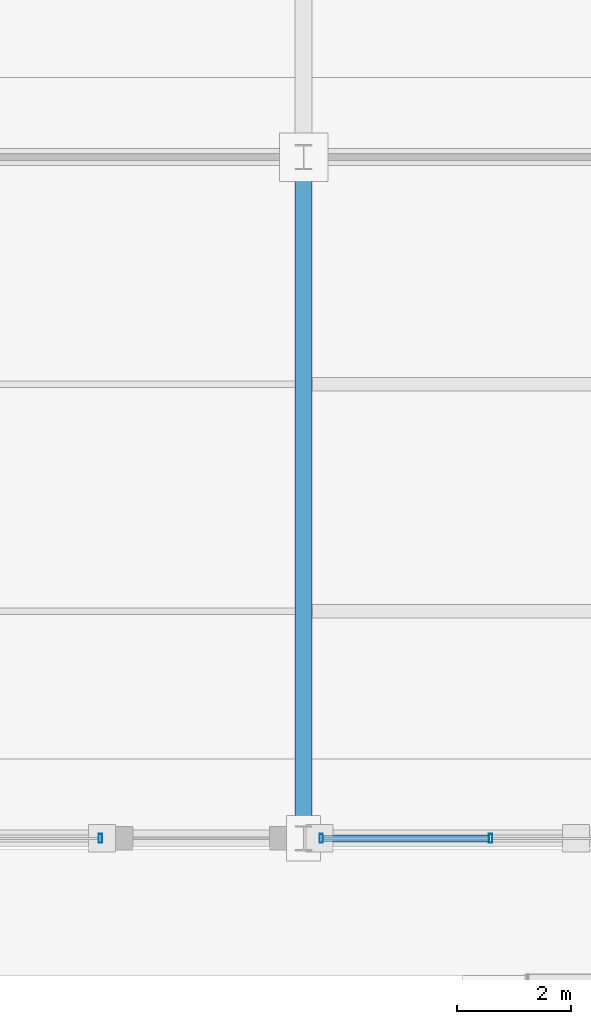
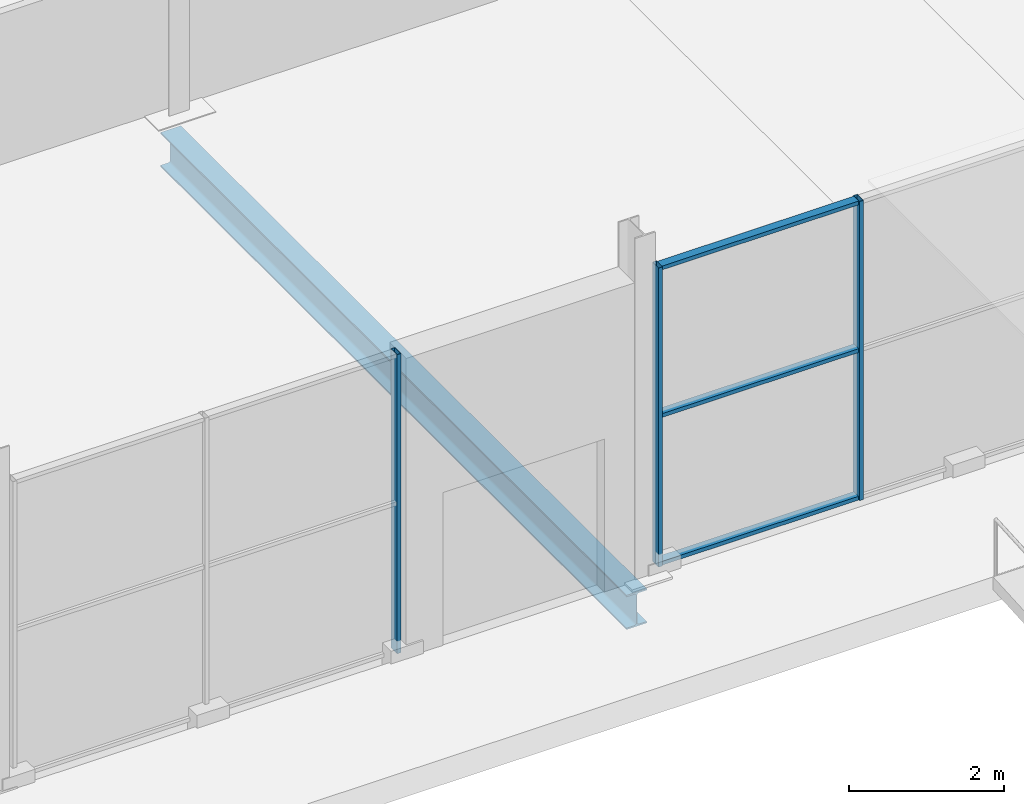
# One storey, part 32 of 196: 6 members, 1 beam, 2 elements without a shape of their own.
"""IFC4 building model written with IfcOpenShell, lengths in metres."""

from ifc_helpers import new_model, si_unit, direction, frame, origin, origin_2d, place, context, subcontext, project, spatial, hollow_rectangle, i_section, extrude, material, material_profile, profile_set, type_object, element, aggregate, save


model = new_model("IFC4")

# Units and contexts
model_context = context("Model", 3, precision=1e-05, world=origin(), true_north=direction((0.0, 1.0)))
body_context = subcontext(model_context, "Body", "Model", "MODEL_VIEW")
ifc_project = project(units=[si_unit("LENGTHUNIT", "METRE"), si_unit("AREAUNIT", "SQUARE_METRE"), si_unit("VOLUMEUNIT", "CUBIC_METRE"), si_unit("PLANEANGLEUNIT", "RADIAN"), si_unit("MASSUNIT", "GRAM", prefix="KILO")], contexts=[model_context])

# Site, building, storey
site_placement = place(None, origin())
site = spatial("IfcSite", under=ifc_project, at=site_placement, CompositionType="ELEMENT")
building_placement = place(site_placement, origin())
building = spatial("IfcBuilding", under=site, at=building_placement, Name="Merenkruunu Market Hall", CompositionType="ELEMENT")
storey_placement = place(building_placement, origin())
storey = spatial("IfcBuildingStorey", under=building, at=storey_placement, Name="L00", CompositionType="ELEMENT", Elevation=0.0)

# Curtain wall, member
ifc_material_1 = material(Name="Powder-coated aluminium", Category="aluminium")
curtain_wall_type_1 = type_object("IfcCurtainWallType", Name="Glazed Curtain Wall CW06", PredefinedType="USERDEFINED", material=ifc_material_1)
curtain_wall_1_placement = place(storey_placement, origin())
curtain_wall_1 = element("IfcCurtainWall", 1, at=curtain_wall_1_placement, inside=storey, type_object=curtain_wall_type_1, Name="CW-L00-CWM01-022", ObjectType="GLAZED_FACADE", PredefinedType="USERDEFINED")
ifc_material_profile_1 = material_profile(ifc_material_1, hollow_rectangle(XDim=0.06005859375, YDim=0.159912109375, WallThickness=0.00390625, at=origin_2d()), Name="ALU 60x160x4")
ifc_profile_set_1 = profile_set([ifc_material_profile_1], Name="Powder-coated aluminium")
member_type_1 = type_object("IfcMemberType", Name="Curtain Wall Mullion CWM01", PredefinedType="MULLION", material=ifc_profile_set_1)
member_1_placement = place(storey_placement, frame((15.6201171875, 15.60009765625, 0.0), z_axis=(0.0, 0.0, 1.0), x_axis=(-1.0, 0.0, 0.0)))
member_1 = element("IfcMember", 2, at=member_1_placement, type_object=member_type_1, Name="CW06 mullion 1", PredefinedType="MULLION", context=body_context, shape_type="SweptSolid", body=[
    extrude(hollow_rectangle(XDim=0.06005859375, YDim=0.159912109375, WallThickness=0.00390625, at=origin_2d()), origin(), (0.0, 0.0, 1.0), 4.699951171875),
])
aggregate(curtain_wall_1, [member_1])

# Curtain wall, members
curtain_wall_type_2 = type_object("IfcCurtainWallType", Name="Glazed Curtain Wall CW01", PredefinedType="USERDEFINED", material=ifc_material_1)
curtain_wall_2_placement = place(storey_placement, origin())
curtain_wall_2 = element("IfcCurtainWall", 3, at=curtain_wall_2_placement, inside=storey, type_object=curtain_wall_type_2, Name="CW-L00-CWM01-025", ObjectType="GLAZED_FACADE", PredefinedType="USERDEFINED")
member_2_placement = place(storey_placement, frame((22.493408203125, 15.60009765625, 0.0), z_axis=(0.0, 0.0, 1.0), x_axis=(-1.0, 0.0, 0.0)))
member_2 = element("IfcMember", 4, at=member_2_placement, type_object=member_type_1, Name="CW01 mullion 3", PredefinedType="MULLION", context=body_context, shape_type="SweptSolid", body=[
    extrude(hollow_rectangle(XDim=0.06005859375, YDim=0.159912109375, WallThickness=0.00390625, at=origin_2d()), origin(), (0.0, 0.0, 1.0), 4.699951171875),
])
member_3_placement = place(storey_placement, frame((19.510009765625, 15.60009765625, 0.0), z_axis=(0.0, 0.0, 1.0), x_axis=(-1.0, 0.0, 0.0)))
member_3 = element("IfcMember", 5, at=member_3_placement, type_object=member_type_1, Name="CW01 mullion 4", PredefinedType="MULLION", context=body_context, shape_type="SweptSolid", body=[
    extrude(hollow_rectangle(XDim=0.06005859375, YDim=0.159912109375, WallThickness=0.00390625, at=origin_2d()), origin(), (0.0, 0.0, 1.0), 4.699951171875),
])
ifc_material_profile_2 = material_profile(ifc_material_1, hollow_rectangle(XDim=0.06005859375, YDim=0.125, WallThickness=0.00390625, at=origin_2d()), Name="ALU 60x125x4")
ifc_profile_set_2 = profile_set([ifc_material_profile_2], Name="Powder-coated aluminium")
member_type_2 = type_object("IfcMemberType", Name="Curtain Wall Transom CWT01", PredefinedType="USERDEFINED", material=ifc_profile_set_2)
member_4_placement = place(storey_placement, frame((22.46337890625, 15.60009765625, 0.030029296875), z_axis=(-1.0, 0.0, 0.0), x_axis=(0.0, 0.0, 1.0)))
member_4 = element("IfcMember", 6, at=member_4_placement, type_object=member_type_2, Name="CW01 transom 3.1", ObjectType="TRANSOM", PredefinedType="USERDEFINED", context=body_context, shape_type="SweptSolid", body=[
    extrude(hollow_rectangle(XDim=0.06005859375, YDim=0.125, WallThickness=0.00390625, at=origin_2d()), origin(), (0.0, 0.0, 1.0), 2.92333984375),
])
member_5_placement = place(storey_placement, frame((22.46337890625, 15.60009765625, 2.35009765625), z_axis=(-1.0, 0.0, 0.0), x_axis=(0.0, 0.0, 1.0)))
member_5 = element("IfcMember", 7, at=member_5_placement, type_object=member_type_2, Name="CW01 transom 3.2", ObjectType="TRANSOM", PredefinedType="USERDEFINED", context=body_context, shape_type="SweptSolid", body=[
    extrude(hollow_rectangle(XDim=0.06005859375, YDim=0.125, WallThickness=0.00390625, at=origin_2d()), origin(), (0.0, 0.0, 1.0), 2.92333984375),
])
member_6_placement = place(storey_placement, frame((22.46337890625, 15.60009765625, 4.669921875), z_axis=(-1.0, 0.0, 0.0), x_axis=(0.0, 0.0, 1.0)))
member_6 = element("IfcMember", 8, at=member_6_placement, type_object=member_type_2, Name="CW01 transom 3.3", ObjectType="TRANSOM", PredefinedType="USERDEFINED", context=body_context, shape_type="SweptSolid", body=[
    extrude(hollow_rectangle(XDim=0.06005859375, YDim=0.125, WallThickness=0.00390625, at=origin_2d()), origin(), (0.0, 0.0, 1.0), 2.92333984375),
])
aggregate(curtain_wall_2, [member_2, member_3, member_4, member_5, member_6])

# Beam
ifc_material_2 = material(Name="Steel S355J2", Category="steel")
ifc_material_profile_3 = material_profile(ifc_material_2, i_section(OverallWidth=0.300048828125, OverallDepth=0.5400390625, WebThickness=0.012451171875, FlangeThickness=0.02392578125, FilletRadius=0.027099609375, at=origin_2d()), Name="HEA 550")
ifc_profile_set_3 = profile_set([ifc_material_profile_3], Name="Steel S355J2")
beam_type = type_object("IfcBeamType", Name="Primary Floor Girder B06", PredefinedType="BEAM", material=ifc_profile_set_3)
beam_placement = place(storey_placement, frame((19.199951171875, 15.60009765625, -0.610107421875), z_axis=(0.0, 1.0, 0.0), x_axis=(-1.0, 0.0, 0.0)))
element("IfcBeam", 9, at=beam_placement, inside=storey, type_object=beam_type, Name="BM-L00-B06-0154", PredefinedType="BEAM", context=body_context, shape_type="SweptSolid", body=[
    extrude(i_section(OverallWidth=0.300048828125, OverallDepth=0.5400390625, WebThickness=0.012451171875, FlangeThickness=0.02392578125, FilletRadius=0.027099609375, at=origin_2d()), origin(), (0.0, 0.0, 1.0), 12.0),
])

save(model, "model.ifc")
